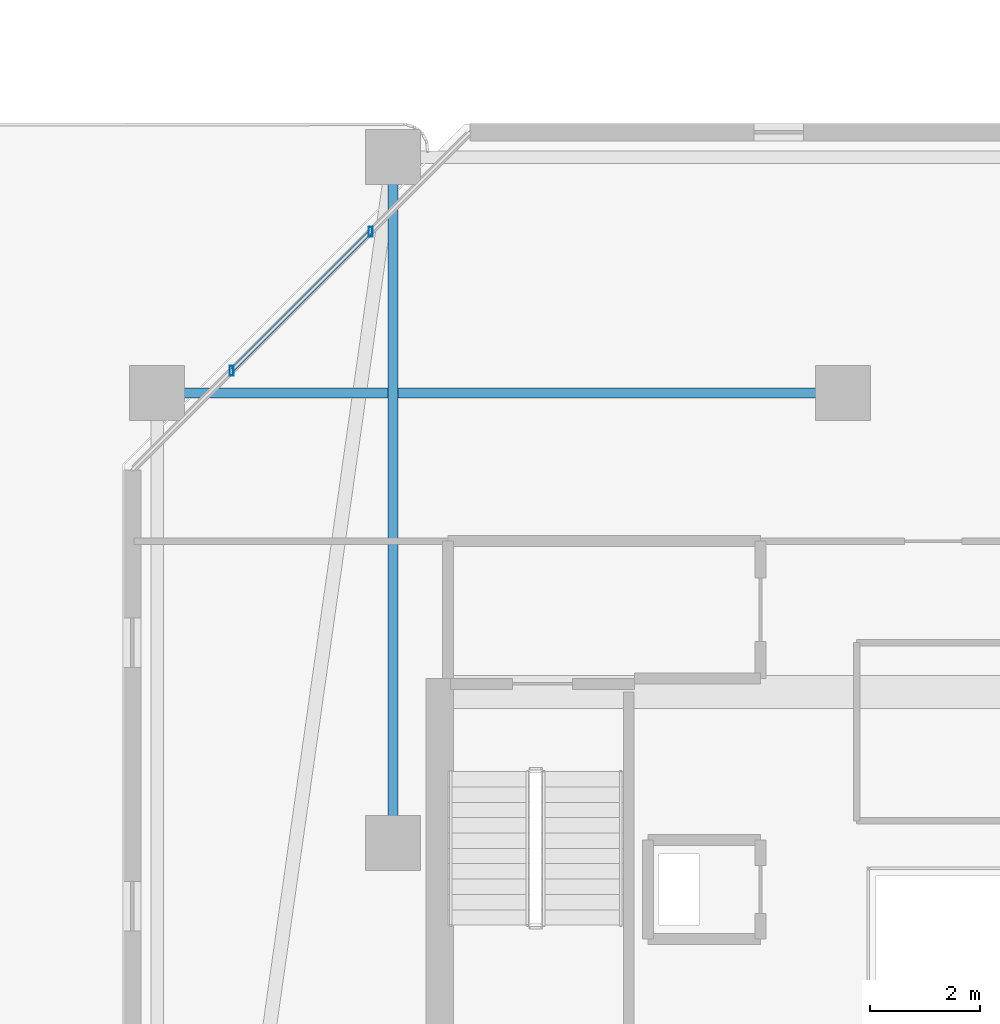
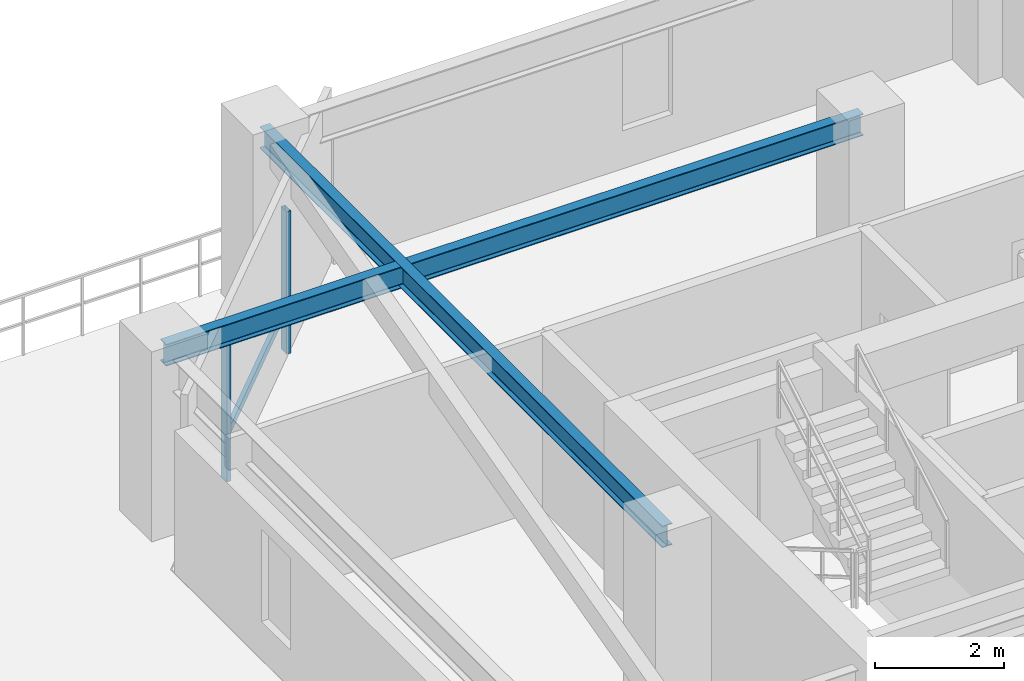
# One storey, part 14 of 29: 3 members, 2 beams, 1 element without a shape of its own.
"""IFC4 building model written with IfcOpenShell, lengths in metres."""

import ifcopenshell
import ifcopenshell.guid

model = None  # the IFC model being written
_history = None  # IfcOwnerHistory: only IFC2X3 demands one
_inside = {}  # id of a spatial element -> (the spatial element, [elements in it])
_under = {}  # id of a project, library or spatial element -> (it, [spatial elements below it])
_declared = {}  # id of a project -> (the project, [libraries it declares])
_typed = {}  # id of a type object -> (the type object, [elements of that type])
_made_of = {}  # id of a material, layer set ... -> (it, [elements and type objects made of it])


def new_model(schema):
    """Start an empty IFC model of exactly this schema.

    Asked for "IFC4X3", IfcOpenShell would pick the latest addendum, in which some entities
    have other attributes; the version numbers below select the first issue.
    IFC2X3 requires an IfcOwnerHistory on every rooted entity: one is made here for all.
    """
    global model, _history
    if schema == "IFC4X3":
        model = ifcopenshell.file(schema_version=(4, 3, 0, 0))
    else:
        model = ifcopenshell.file(schema=schema)
    _inside.clear()
    _under.clear()
    _declared.clear()
    _typed.clear()
    _made_of.clear()
    _history = None
    if model.schema == "IFC2X3":
        org = make("IfcOrganization", Name="unknown")
        user = make(
            "IfcPersonAndOrganization",
            ThePerson=make("IfcPerson", FamilyName="unknown"),
            TheOrganization=org,
        )
        app = make(
            "IfcApplication",
            ApplicationDeveloper=org,
            Version="unknown",
            ApplicationFullName="unknown",
            ApplicationIdentifier="unknown",
        )
        _history = make(
            "IfcOwnerHistory",
            OwningUser=user,
            OwningApplication=app,
            ChangeAction="ADDED",
            CreationDate=0,
        )
    return model


def make(cls, **values):
    """One entity of the class cls with the attributes given. An attribute that is None is left unset."""
    return model.create_entity(
        cls, **{name: value for name, value in values.items() if value is not None}
    )


def rooted(cls, **values):
    """An entity with a GlobalId (a new one), such as an element, a storey or a relation."""
    return make(cls, GlobalId=ifcopenshell.guid.new(), OwnerHistory=_history, **values)


def si_unit(unit_type, name, prefix=None):
    """IfcSIUnit, for example si_unit("LENGTHUNIT", "METRE", prefix="MILLI")."""
    return make("IfcSIUnit", UnitType=unit_type, Prefix=prefix, Name=name)


def assignment(units):
    """IfcUnitAssignment: the units of a project."""
    return None if units is None else make("IfcUnitAssignment", Units=units)


def point(xyz):
    """IfcCartesianPoint."""
    return None if xyz is None else make("IfcCartesianPoint", Coordinates=xyz)


def direction(xyz):
    """IfcDirection."""
    return None if xyz is None else make("IfcDirection", DirectionRatios=xyz)


def frame(location, z_axis=None, x_axis=None):
    """IfcAxis2Placement3D, a coordinate frame: its origin and axes. An axis left out is left unset."""
    return make(
        "IfcAxis2Placement3D",
        Location=point(location),
        Axis=direction(z_axis),
        RefDirection=direction(x_axis),
    )


def frame_2d(location, x_axis=None):
    """IfcAxis2Placement2D, a coordinate frame in the plane: its origin and x axis."""
    return make(
        "IfcAxis2Placement2D", Location=point(location), RefDirection=direction(x_axis)
    )


def origin():
    """The frame at (0, 0, 0) with its axes left unset."""
    return frame((0.0, 0.0, 0.0))


def origin_2d():
    """The frame at (0, 0) in the plane with its x axis left unset."""
    return frame_2d((0.0, 0.0))


def place(relative_to, where):
    """IfcLocalPlacement: puts the frame where relative to a parent placement (None: the world)."""
    return make(
        "IfcLocalPlacement", PlacementRelTo=relative_to, RelativePlacement=where
    )


def context(
    kind, dimensions, precision=None, world=None, true_north=None, identifier=None
):
    """IfcGeometricRepresentationContext, for example the 3D "Model" context."""
    return make(
        "IfcGeometricRepresentationContext",
        ContextIdentifier=identifier,
        ContextType=kind,
        CoordinateSpaceDimension=dimensions,
        Precision=precision,
        WorldCoordinateSystem=world,
        TrueNorth=true_north,
    )


def subcontext(parent, identifier, kind, view, scale=None):
    """IfcGeometricRepresentationSubContext, for example "Body" below "Model"."""
    return make(
        "IfcGeometricRepresentationSubContext",
        ContextIdentifier=identifier,
        ContextType=kind,
        ParentContext=parent,
        TargetScale=scale,
        TargetView=view,
    )


def project(units=None, contexts=None):
    """IfcProject with its units and contexts."""
    return rooted(
        "IfcProject",
        Name="project",
        RepresentationContexts=contexts,
        UnitsInContext=assignment(units),
    )


def spatial(cls, under=None, at=None, **own):
    """A site, building, storey or space (cls), placed at a placement, below another one or the project."""
    s = rooted(cls, ObjectPlacement=at, **own)
    if under is not None:
        _under.setdefault(under.id(), (under, []))[1].append(s)
    return s


def profile(cls, at=None, kind="AREA", **sizes):
    """A parametric profile (cls). Its sizes go by their IFC names, for example OverallWidth=200.0."""
    return make(cls, ProfileType=kind, Position=at, **sizes)


def hollow_rectangle(**sizes):
    """IfcRectangleHollowProfileDef."""
    return profile("IfcRectangleHollowProfileDef", **sizes)


def i_section(**sizes):
    """IfcIShapeProfileDef."""
    return profile("IfcIShapeProfileDef", **sizes)


def extrude(swept, where, along, depth):
    """IfcExtrudedAreaSolid: the profile swept, set in the frame where, extruded along a direction by depth."""
    return make(
        "IfcExtrudedAreaSolid",
        SweptArea=swept,
        Position=where,
        ExtrudedDirection=direction(along),
        Depth=depth,
    )


def shape(context_of_items, identifier, shape_type, items):
    """IfcShapeRepresentation: the items that make up one representation, for example the "Body"."""
    return make(
        "IfcShapeRepresentation",
        ContextOfItems=context_of_items,
        RepresentationIdentifier=identifier,
        RepresentationType=shape_type,
        Items=items,
    )


def material(Name=None, Category=None):
    """IfcMaterial."""
    return make("IfcMaterial", Name=Name, Category=Category)


def material_profile(
    of_material, cross_section, Name=None, Category=None, Priority=None
):
    """IfcMaterialProfile: a cross section and its material."""
    return make(
        "IfcMaterialProfile",
        Name=Name,
        Material=of_material,
        Profile=cross_section,
        Priority=Priority,
        Category=Category,
    )


def profile_set(profiles, Name=None, composite=None):
    """IfcMaterialProfileSet."""
    return make(
        "IfcMaterialProfileSet",
        Name=Name,
        MaterialProfiles=profiles,
        CompositeProfile=composite,
    )


def made_of(thing, what):
    """Note that an element or type object is made of a material, layer set ...; save() writes the relation."""
    if what is not None:
        _made_of.setdefault(what.id(), (what, []))[1].append(thing)
    return thing


def type_object(cls, material=None, **own):
    """A type object (cls), such as IfcWallType, which elements share."""
    return made_of(rooted(cls, **own), material)


def element(
    cls,
    number,
    at=None,
    inside=None,
    cuts=None,
    type_object=None,
    material=None,
    context=None,
    identifier="Body",
    shape_type=None,
    held_by="IfcProductDefinitionShape",
    body=None,
    shapes=None,
    **own,
):
    """One element of the class cls, such as IfcWall. Its Tag is "e" and its number.

    at: its placement. inside: the storey or other place that contains it. cuts: it is an
    opening in that element (IfcRelVoidsElement). A single representation is given by context,
    identifier, shape_type and body (its items); several are given by shapes. held_by: the class
    of the entity that holds the representations. save() writes the other relations.
    """
    e = rooted(cls, Tag="e%d" % number, ObjectPlacement=at, **own)
    if body is not None:
        shapes = [shape(context, identifier, shape_type, body)]
    if shapes is not None:
        e.Representation = make(held_by, Representations=shapes)
    if inside is not None:
        _inside.setdefault(inside.id(), (inside, []))[1].append(e)
    if cuts is not None:
        rooted(
            "IfcRelVoidsElement", RelatingBuildingElement=cuts, RelatedOpeningElement=e
        )
    if type_object is not None:
        _typed.setdefault(type_object.id(), (type_object, []))[1].append(e)
    return made_of(e, material)


def aggregate(whole, parts):
    """IfcRelAggregates: a whole, such as a stair, and the parts it consists of."""
    return rooted("IfcRelAggregates", RelatingObject=whole, RelatedObjects=parts)


def save(model, path):
    """Write the relations noted so far, then the file.

    IfcRelAggregates (storeys below a building ...), IfcRelContainedInSpatialStructure (elements
    in a storey), IfcRelDefinesByType, IfcRelAssociatesMaterial and IfcRelDeclares: one each for
    every whole, place, type object, material and project.
    """
    for whole, parts in _under.values():
        aggregate(whole, parts)
    for where, things in _inside.values():
        rooted(
            "IfcRelContainedInSpatialStructure",
            RelatedElements=things,
            RelatingStructure=where,
        )
    for kind, things in _typed.values():
        rooted("IfcRelDefinesByType", RelatedObjects=things, RelatingType=kind)
    for what, things in _made_of.values():
        rooted("IfcRelAssociatesMaterial", RelatedObjects=things, RelatingMaterial=what)
    for by, libraries in _declared.values():
        rooted("IfcRelDeclares", RelatingContext=by, RelatedDefinitions=libraries)
    model.write(path)


model = new_model("IFC4")

# Units and contexts
model_context = context("Model", 3, precision=1e-05, world=origin(), true_north=direction((0.0, 1.0)))
body_context = subcontext(model_context, "Body", "Model", "MODEL_VIEW")
ifc_project = project(units=[si_unit("LENGTHUNIT", "METRE"), si_unit("AREAUNIT", "SQUARE_METRE"), si_unit("VOLUMEUNIT", "CUBIC_METRE"), si_unit("PLANEANGLEUNIT", "RADIAN"), si_unit("MASSUNIT", "GRAM", prefix="KILO")], contexts=[model_context])

# Site, building, storey
site_placement = place(None, origin())
site = spatial("IfcSite", under=ifc_project, at=site_placement, CompositionType="ELEMENT")
building_placement = place(site_placement, origin())
building = spatial("IfcBuilding", under=site, at=building_placement, Name="Thornwick Lancets Civic Towers", CompositionType="ELEMENT")
storey_placement = place(building_placement, frame((0.0, 0.0, 229.5)))
storey = spatial("IfcBuildingStorey", under=building, at=storey_placement, Name="L61", CompositionType="ELEMENT", Elevation=229.5)

# Beams
ifc_material_1 = material(Name="Steel S355JR", Category="steel")
ifc_material_profile_1 = material_profile(ifc_material_1, i_section(OverallWidth=0.179443359375, OverallDepth=0.412841796875, WebThickness=0.009521484375, FlangeThickness=0.01611328125, FilletRadius=0.01025390625, at=origin_2d()), Name="UKB 406x178x74")
ifc_profile_set_1 = profile_set([ifc_material_profile_1], Name="Steel S355JR")
beam_type = type_object("IfcBeamType", Name="BM_JOIST_406_74", PredefinedType="JOIST", material=ifc_profile_set_1)
for number, where, z_axis, x_axis, name in (
    (1, (75.5, 31.800048828125, 3.113525390625), (0.0, 1.0, 0.0), (-1.0, 0.0, 0.0), "BM-RADIN-L61-B06"),
    (2, (83.699951171875, 40.0, 3.113525390625), (-1.0, 0.0, 0.0), (0.0, -1.0, 0.0), "BM-RADIN-L61-B09"),
):
    element("IfcBeam", number, at=place(storey_placement, frame(where, z_axis=z_axis, x_axis=x_axis)), inside=storey, type_object=beam_type, Name=name, PredefinedType="JOIST", context=body_context, shape_type="SweptSolid", body=[
        extrude(i_section(OverallWidth=0.179443359375, OverallDepth=0.412841796875, WebThickness=0.009521484375, FlangeThickness=0.01611328125, FilletRadius=0.01025390625, at=origin_2d()), origin(), (0.0, 0.0, 1.0), 12.5),
    ])

# Curtain wall, members
ifc_material_2 = material(Name="High-zone chamfered-corner unitised glass curtain wall", Category="glass")
curtain_wall_type = type_object("IfcCurtainWallType", Name="CW_SYS_05", PredefinedType="NOTDEFINED", material=ifc_material_2)
curtain_wall_placement = place(storey_placement, origin())
curtain_wall = element("IfcCurtainWall", 3, at=curtain_wall_placement, inside=storey, type_object=curtain_wall_type, Name="L61 Curtain Wall CW-L61-B-E5", PredefinedType="NOTDEFINED")
ifc_material_3 = material(Name="Thermally broken bronze aluminium S355", Category="steel")
ifc_material_profile_2 = material_profile(ifc_material_3, hollow_rectangle(XDim=0.074951171875, YDim=0.179931640625, WallThickness=0.006103515625, at=origin_2d()), Name="RHS 180x75x6")
ifc_profile_set_2 = profile_set([ifc_material_profile_2], Name="Thermally broken bronze aluminium S355")
member_type_1 = type_object("IfcMemberType", Name="CW_MUL_180", PredefinedType="MULLION", material=ifc_profile_set_2)
member_1_placement = place(storey_placement, frame((75.091552734375, 42.940673828125, 0.0), z_axis=(0.0, 0.0, 1.0), x_axis=(1.0, 0.0, 0.0)))
member_1 = element("IfcMember", 4, at=member_1_placement, type_object=member_type_1, Name="CW-L61-B-E5 Mullion 0", PredefinedType="MULLION", context=body_context, shape_type="SweptSolid", body=[
    extrude(hollow_rectangle(XDim=0.074951171875, YDim=0.179931640625, WallThickness=0.006103515625, at=origin_2d()), origin(), (0.0, 0.0, 1.0), 2.699951171875),
])
member_2_placement = place(storey_placement, frame((72.559326171875, 40.408447265625, 0.0), z_axis=(0.0, 0.0, 1.0), x_axis=(1.0, 0.0, 0.0)))
member_2 = element("IfcMember", 5, at=member_2_placement, type_object=member_type_1, Name="CW-L61-B-E5 Mullion 1", PredefinedType="MULLION", context=body_context, shape_type="SweptSolid", body=[
    extrude(hollow_rectangle(XDim=0.074951171875, YDim=0.179931640625, WallThickness=0.006103515625, at=origin_2d()), origin(), (0.0, 0.0, 1.0), 2.699951171875),
])
ifc_material_profile_3 = material_profile(ifc_material_3, hollow_rectangle(XDim=0.074951171875, YDim=0.14990234375, WallThickness=0.0048828125, at=origin_2d()), Name="RHS 150x75x5")
ifc_profile_set_3 = profile_set([ifc_material_profile_3], Name="Thermally broken bronze aluminium S355")
member_type_2 = type_object("IfcMemberType", Name="CW_TRN_150", PredefinedType="USERDEFINED", material=ifc_profile_set_3)
member_3_placement = place(storey_placement, frame((75.077392578125, 42.926513671875, 0.85009765625), z_axis=(-0.707106781187, -0.707106781187, 0.0), x_axis=(0.707106781187, -0.707106781187, 0.0)))
member_3 = element("IfcMember", 6, at=member_3_placement, type_object=member_type_2, Name="CW-L61-B-E5 Transom 0", ObjectType="TRANSOM", PredefinedType="USERDEFINED", context=body_context, shape_type="SweptSolid", body=[
    extrude(hollow_rectangle(XDim=0.074951171875, YDim=0.14990234375, WallThickness=0.0048828125, at=origin_2d()), origin(), (0.0, 0.0, 1.0), 3.541015625),
])
aggregate(curtain_wall, [member_1, member_2, member_3])

save(model, "model.ifc")
